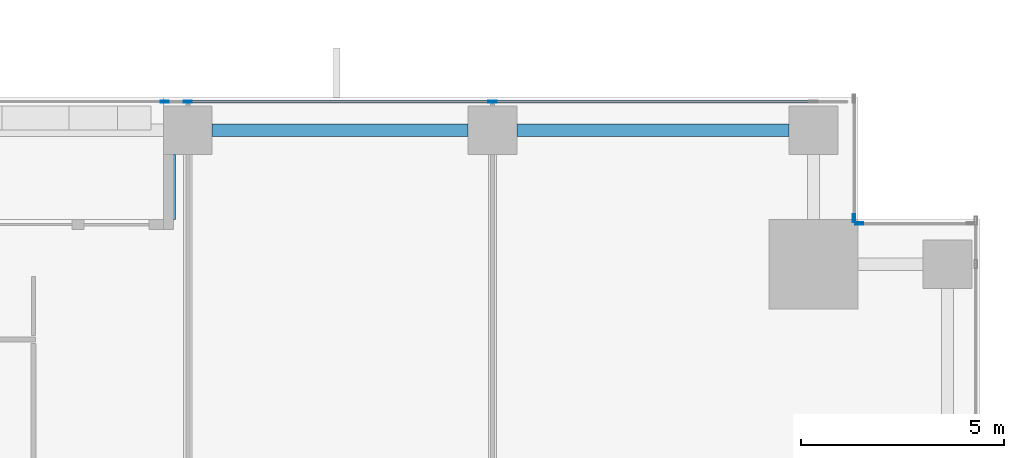
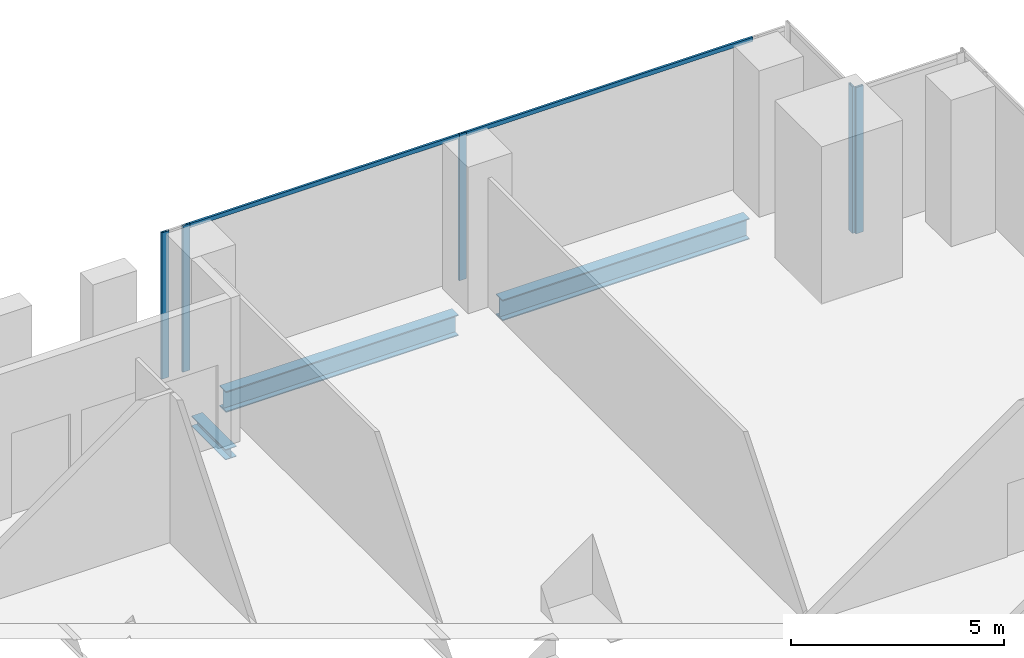
# One storey, part 19 of 33: 7 members, 3 beams, 3 elements without a shape of their own.
"""IFC4 building model written with IfcOpenShell, lengths in metres."""

import ifcopenshell
import ifcopenshell.guid

model = None  # the IFC model being written
_history = None  # IfcOwnerHistory: only IFC2X3 demands one
_inside = {}  # id of a spatial element -> (the spatial element, [elements in it])
_under = {}  # id of a project, library or spatial element -> (it, [spatial elements below it])
_declared = {}  # id of a project -> (the project, [libraries it declares])
_typed = {}  # id of a type object -> (the type object, [elements of that type])
_made_of = {}  # id of a material, layer set ... -> (it, [elements and type objects made of it])


def new_model(schema):
    """Start an empty IFC model of exactly this schema.

    Asked for "IFC4X3", IfcOpenShell would pick the latest addendum, in which some entities
    have other attributes; the version numbers below select the first issue.
    IFC2X3 requires an IfcOwnerHistory on every rooted entity: one is made here for all.
    """
    global model, _history
    if schema == "IFC4X3":
        model = ifcopenshell.file(schema_version=(4, 3, 0, 0))
    else:
        model = ifcopenshell.file(schema=schema)
    _inside.clear()
    _under.clear()
    _declared.clear()
    _typed.clear()
    _made_of.clear()
    _history = None
    if model.schema == "IFC2X3":
        org = make("IfcOrganization", Name="unknown")
        user = make(
            "IfcPersonAndOrganization",
            ThePerson=make("IfcPerson", FamilyName="unknown"),
            TheOrganization=org,
        )
        app = make(
            "IfcApplication",
            ApplicationDeveloper=org,
            Version="unknown",
            ApplicationFullName="unknown",
            ApplicationIdentifier="unknown",
        )
        _history = make(
            "IfcOwnerHistory",
            OwningUser=user,
            OwningApplication=app,
            ChangeAction="ADDED",
            CreationDate=0,
        )
    return model


def make(cls, **values):
    """One entity of the class cls with the attributes given. An attribute that is None is left unset."""
    return model.create_entity(
        cls, **{name: value for name, value in values.items() if value is not None}
    )


def rooted(cls, **values):
    """An entity with a GlobalId (a new one), such as an element, a storey or a relation."""
    return make(cls, GlobalId=ifcopenshell.guid.new(), OwnerHistory=_history, **values)


def si_unit(unit_type, name, prefix=None):
    """IfcSIUnit, for example si_unit("LENGTHUNIT", "METRE", prefix="MILLI")."""
    return make("IfcSIUnit", UnitType=unit_type, Prefix=prefix, Name=name)


def assignment(units):
    """IfcUnitAssignment: the units of a project."""
    return None if units is None else make("IfcUnitAssignment", Units=units)


def point(xyz):
    """IfcCartesianPoint."""
    return None if xyz is None else make("IfcCartesianPoint", Coordinates=xyz)


def direction(xyz):
    """IfcDirection."""
    return None if xyz is None else make("IfcDirection", DirectionRatios=xyz)


def frame(location, z_axis=None, x_axis=None):
    """IfcAxis2Placement3D, a coordinate frame: its origin and axes. An axis left out is left unset."""
    return make(
        "IfcAxis2Placement3D",
        Location=point(location),
        Axis=direction(z_axis),
        RefDirection=direction(x_axis),
    )


def frame_2d(location, x_axis=None):
    """IfcAxis2Placement2D, a coordinate frame in the plane: its origin and x axis."""
    return make(
        "IfcAxis2Placement2D", Location=point(location), RefDirection=direction(x_axis)
    )


def origin():
    """The frame at (0, 0, 0) with its axes left unset."""
    return frame((0.0, 0.0, 0.0))


def origin_2d():
    """The frame at (0, 0) in the plane with its x axis left unset."""
    return frame_2d((0.0, 0.0))


def place(relative_to, where):
    """IfcLocalPlacement: puts the frame where relative to a parent placement (None: the world)."""
    return make(
        "IfcLocalPlacement", PlacementRelTo=relative_to, RelativePlacement=where
    )


def context(
    kind, dimensions, precision=None, world=None, true_north=None, identifier=None
):
    """IfcGeometricRepresentationContext, for example the 3D "Model" context."""
    return make(
        "IfcGeometricRepresentationContext",
        ContextIdentifier=identifier,
        ContextType=kind,
        CoordinateSpaceDimension=dimensions,
        Precision=precision,
        WorldCoordinateSystem=world,
        TrueNorth=true_north,
    )


def subcontext(parent, identifier, kind, view, scale=None):
    """IfcGeometricRepresentationSubContext, for example "Body" below "Model"."""
    return make(
        "IfcGeometricRepresentationSubContext",
        ContextIdentifier=identifier,
        ContextType=kind,
        ParentContext=parent,
        TargetScale=scale,
        TargetView=view,
    )


def project(units=None, contexts=None):
    """IfcProject with its units and contexts."""
    return rooted(
        "IfcProject",
        Name="project",
        RepresentationContexts=contexts,
        UnitsInContext=assignment(units),
    )


def spatial(cls, under=None, at=None, **own):
    """A site, building, storey or space (cls), placed at a placement, below another one or the project."""
    s = rooted(cls, ObjectPlacement=at, **own)
    if under is not None:
        _under.setdefault(under.id(), (under, []))[1].append(s)
    return s


def profile(cls, at=None, kind="AREA", **sizes):
    """A parametric profile (cls). Its sizes go by their IFC names, for example OverallWidth=200.0."""
    return make(cls, ProfileType=kind, Position=at, **sizes)


def hollow_rectangle(**sizes):
    """IfcRectangleHollowProfileDef."""
    return profile("IfcRectangleHollowProfileDef", **sizes)


def i_section(**sizes):
    """IfcIShapeProfileDef."""
    return profile("IfcIShapeProfileDef", **sizes)


def extrude(swept, where, along, depth):
    """IfcExtrudedAreaSolid: the profile swept, set in the frame where, extruded along a direction by depth."""
    return make(
        "IfcExtrudedAreaSolid",
        SweptArea=swept,
        Position=where,
        ExtrudedDirection=direction(along),
        Depth=depth,
    )


def shape(context_of_items, identifier, shape_type, items):
    """IfcShapeRepresentation: the items that make up one representation, for example the "Body"."""
    return make(
        "IfcShapeRepresentation",
        ContextOfItems=context_of_items,
        RepresentationIdentifier=identifier,
        RepresentationType=shape_type,
        Items=items,
    )


def source(mapping_origin, context_of_items, identifier, shape_type, items):
    """IfcRepresentationMap: a shape defined once, which mapped items show again and again."""
    return make(
        "IfcRepresentationMap",
        MappingOrigin=mapping_origin,
        MappedRepresentation=shape(context_of_items, identifier, shape_type, items),
    )


def transform(
    local_origin,
    x_axis=None,
    y_axis=None,
    z_axis=None,
    scale=None,
    scale2=None,
    scale3=None,
    uniform=True,
):
    """IfcCartesianTransformationOperator3D, or its non-uniform kind. x_axis, y_axis, z_axis: its Axis1, 2, 3."""
    if uniform:
        return make(
            "IfcCartesianTransformationOperator3D",
            Axis1=direction(x_axis),
            Axis2=direction(y_axis),
            LocalOrigin=point(local_origin),
            Scale=scale,
            Axis3=direction(z_axis),
        )
    return make(
        "IfcCartesianTransformationOperator3DnonUniform",
        Axis1=direction(x_axis),
        Axis2=direction(y_axis),
        LocalOrigin=point(local_origin),
        Scale=scale,
        Axis3=direction(z_axis),
        Scale2=scale2,
        Scale3=scale3,
    )


def mapped(mapping_source, mapping_target):
    """IfcMappedItem: shows the shape of a source again, moved by a transform."""
    return make(
        "IfcMappedItem", MappingSource=mapping_source, MappingTarget=mapping_target
    )


def material(Name=None, Category=None):
    """IfcMaterial."""
    return make("IfcMaterial", Name=Name, Category=Category)


def material_profile(
    of_material, cross_section, Name=None, Category=None, Priority=None
):
    """IfcMaterialProfile: a cross section and its material."""
    return make(
        "IfcMaterialProfile",
        Name=Name,
        Material=of_material,
        Profile=cross_section,
        Priority=Priority,
        Category=Category,
    )


def profile_set(profiles, Name=None, composite=None):
    """IfcMaterialProfileSet."""
    return make(
        "IfcMaterialProfileSet",
        Name=Name,
        MaterialProfiles=profiles,
        CompositeProfile=composite,
    )


def made_of(thing, what):
    """Note that an element or type object is made of a material, layer set ...; save() writes the relation."""
    if what is not None:
        _made_of.setdefault(what.id(), (what, []))[1].append(thing)
    return thing


def type_object(cls, material=None, **own):
    """A type object (cls), such as IfcWallType, which elements share."""
    return made_of(rooted(cls, **own), material)


def element(
    cls,
    number,
    at=None,
    inside=None,
    cuts=None,
    type_object=None,
    material=None,
    context=None,
    identifier="Body",
    shape_type=None,
    held_by="IfcProductDefinitionShape",
    body=None,
    shapes=None,
    **own,
):
    """One element of the class cls, such as IfcWall. Its Tag is "e" and its number.

    at: its placement. inside: the storey or other place that contains it. cuts: it is an
    opening in that element (IfcRelVoidsElement). A single representation is given by context,
    identifier, shape_type and body (its items); several are given by shapes. held_by: the class
    of the entity that holds the representations. save() writes the other relations.
    """
    e = rooted(cls, Tag="e%d" % number, ObjectPlacement=at, **own)
    if body is not None:
        shapes = [shape(context, identifier, shape_type, body)]
    if shapes is not None:
        e.Representation = make(held_by, Representations=shapes)
    if inside is not None:
        _inside.setdefault(inside.id(), (inside, []))[1].append(e)
    if cuts is not None:
        rooted(
            "IfcRelVoidsElement", RelatingBuildingElement=cuts, RelatedOpeningElement=e
        )
    if type_object is not None:
        _typed.setdefault(type_object.id(), (type_object, []))[1].append(e)
    return made_of(e, material)


def aggregate(whole, parts):
    """IfcRelAggregates: a whole, such as a stair, and the parts it consists of."""
    return rooted("IfcRelAggregates", RelatingObject=whole, RelatedObjects=parts)


def save(model, path):
    """Write the relations noted so far, then the file.

    IfcRelAggregates (storeys below a building ...), IfcRelContainedInSpatialStructure (elements
    in a storey), IfcRelDefinesByType, IfcRelAssociatesMaterial and IfcRelDeclares: one each for
    every whole, place, type object, material and project.
    """
    for whole, parts in _under.values():
        aggregate(whole, parts)
    for where, things in _inside.values():
        rooted(
            "IfcRelContainedInSpatialStructure",
            RelatedElements=things,
            RelatingStructure=where,
        )
    for kind, things in _typed.values():
        rooted("IfcRelDefinesByType", RelatedObjects=things, RelatingType=kind)
    for what, things in _made_of.values():
        rooted("IfcRelAssociatesMaterial", RelatedObjects=things, RelatingMaterial=what)
    for by, libraries in _declared.values():
        rooted("IfcRelDeclares", RelatingContext=by, RelatedDefinitions=libraries)
    model.write(path)


model = new_model("IFC4")

# Units and contexts
model_context = context("Model", 3, precision=1e-05, world=origin(), true_north=direction((0.0, 1.0)))
body_context = subcontext(model_context, "Body", "Model", "MODEL_VIEW")
ifc_project = project(units=[si_unit("LENGTHUNIT", "METRE"), si_unit("AREAUNIT", "SQUARE_METRE"), si_unit("VOLUMEUNIT", "CUBIC_METRE"), si_unit("PLANEANGLEUNIT", "RADIAN"), si_unit("MASSUNIT", "GRAM", prefix="KILO")], contexts=[model_context])

# Site, building, storey
site_placement = place(None, origin())
site = spatial("IfcSite", under=ifc_project, at=site_placement, CompositionType="ELEMENT")
building_placement = place(site_placement, origin())
building = spatial("IfcBuilding", under=site, at=building_placement, Name="Khomas Fold Tower", CompositionType="ELEMENT")
storey_placement = place(building_placement, frame((0.0, 0.0, 55.5)))
storey = spatial("IfcBuildingStorey", under=building, at=storey_placement, Name="L11", CompositionType="ELEMENT", Elevation=55.5)

# Beams
ifc_material_1 = material(Name="Steel S355", Category="steel")
ifc_material_profile_1 = material_profile(ifc_material_1, i_section(OverallWidth=0.300048828125, OverallDepth=0.60009765625, WebThickness=0.015380859375, FlangeThickness=0.030029296875, at=origin_2d()), Name="HE 600 B")
ifc_profile_set_1 = profile_set([ifc_material_profile_1], Name="Steel S355")
beam_type_1 = type_object("IfcBeamType", Name="HE 600 B spandrel SB1", PredefinedType="SPANDREL", material=ifc_profile_set_1)
shared_shape_1 = source(origin(), body_context, "Body", "SweptSolid", [
    extrude(i_section(OverallWidth=0.300048828125, OverallDepth=0.60009765625, WebThickness=0.015380859375, FlangeThickness=0.030029296875, at=origin_2d()), origin(), (0.0, 0.0, 1.0), 6.699951171875),
])
beam_1_placement = place(storey_placement, frame((42.60009765625, 53.199951171875, -0.60009765625), z_axis=(1.0, 0.0, 0.0), x_axis=(0.0, 1.0, 0.0)))
element("IfcBeam", 1, at=beam_1_placement, inside=storey, type_object=beam_type_1, Name="SB1", PredefinedType="SPANDREL", context=body_context, shape_type="MappedRepresentation", body=[
    mapped(shared_shape_1, transform((0.0, 0.0, 0.0))),
])
shared_shape_2 = source(origin(), body_context, "Body", "SweptSolid", [
    extrude(i_section(OverallWidth=0.300048828125, OverallDepth=0.60009765625, WebThickness=0.015380859375, FlangeThickness=0.030029296875, at=origin_2d()), origin(), (0.0, 0.0, 1.0), 6.2998046875),
])
beam_2_placement = place(storey_placement, frame((35.10009765625, 53.199951171875, -0.60009765625), z_axis=(1.0, 0.0, 0.0), x_axis=(0.0, 1.0, 0.0)))
element("IfcBeam", 2, at=beam_2_placement, inside=storey, type_object=beam_type_1, Name="SB1", PredefinedType="SPANDREL", context=body_context, shape_type="MappedRepresentation", body=[
    mapped(shared_shape_2, transform((0.0, 0.0, 0.0))),
])
ifc_material_2 = material(Name="Steel S355", Category="steel")
ifc_material_profile_2 = material_profile(ifc_material_2, i_section(OverallWidth=0.300048828125, OverallDepth=0.300048828125, WebThickness=0.010986328125, FlangeThickness=0.01904296875, at=origin_2d()), Name="HE 300 B")
ifc_profile_set_2 = profile_set([ifc_material_profile_2], Name="Steel S355")
beam_type_2 = type_object("IfcBeamType", Name="HE 300 B beam BB1", PredefinedType="BEAM", material=ifc_profile_set_2)
shared_shape_3 = source(origin(), body_context, "Body", "SweptSolid", [
    extrude(i_section(OverallWidth=0.300048828125, OverallDepth=0.300048828125, WebThickness=0.010986328125, FlangeThickness=0.01904296875, at=origin_2d()), origin(), (0.0, 0.0, 1.0), 1.60009765625),
])
beam_3_placement = place(storey_placement, frame((34.050048828125, 51.0, -0.449951171875), z_axis=(0.0, 1.0, 0.0), x_axis=(-1.0, 0.0, 0.0)))
element("IfcBeam", 3, at=beam_3_placement, inside=storey, type_object=beam_type_2, Name="BB1", PredefinedType="BEAM", context=body_context, shape_type="MappedRepresentation", body=[
    mapped(shared_shape_3, transform((0.0, 0.0, 0.0))),
])

# Curtain wall, members
ifc_material_3 = material(Name="Aluminium framed double glazing", Category="aluminium")
curtain_wall_type = type_object("IfcCurtainWallType", Name="SK-Unitised clear-glass wall, growing floors CW1", PredefinedType="NOTDEFINED", material=ifc_material_3)
curtain_wall_1_placement = place(storey_placement, origin())
curtain_wall_1 = element("IfcCurtainWall", 4, at=curtain_wall_1_placement, inside=storey, type_object=curtain_wall_type, Name="CW1 run L11 06-0", PredefinedType="NOTDEFINED")
ifc_material_4 = material(Name="Aluminium", Category="aluminium")
ifc_material_profile_3 = material_profile(ifc_material_4, hollow_rectangle(XDim=0.06005859375, YDim=0.1201171875, WallThickness=0.00390625, at=origin_2d()), Name="SK-Unitised clear-glass wall, growing floors transom CW1-T")
ifc_profile_set_3 = profile_set([ifc_material_profile_3], Name="Aluminium")
member_type_1 = type_object("IfcMemberType", Name="SK-Unitised clear-glass wall, growing floors transom CW1-T", PredefinedType="USERDEFINED", material=ifc_profile_set_3)
shared_shape_4 = source(origin(), body_context, "Body", "SweptSolid", [
    extrude(hollow_rectangle(XDim=0.06005859375, YDim=0.1201171875, WallThickness=0.00390625, at=origin_2d()), origin(), (0.0, 0.0, 1.0), 7.840087890625),
])
member_1_placement = place(storey_placement, frame((49.8701171875, 53.89990234375, 4.139892578125), z_axis=(-1.0, 0.0, 0.0), x_axis=(0.0, -1.0, 0.0)))
member_1 = element("IfcMember", 5, at=member_1_placement, type_object=member_type_1, Name="CW1 transom 2", ObjectType="TRANSOM", PredefinedType="USERDEFINED", context=body_context, shape_type="MappedRepresentation", body=[
    mapped(shared_shape_4, transform((0.0, 0.0, 0.0))),
])
shared_shape_5 = source(origin(), body_context, "Body", "SweptSolid", [
    extrude(hollow_rectangle(XDim=0.06005859375, YDim=0.1201171875, WallThickness=0.00390625, at=origin_2d()), origin(), (0.0, 0.0, 1.0), 7.43994140625),
])
member_2_placement = place(storey_placement, frame((41.969970703125, 53.89990234375, 4.139892578125), z_axis=(-1.0, 0.0, 0.0), x_axis=(0.0, -1.0, 0.0)))
member_2 = element("IfcMember", 6, at=member_2_placement, type_object=member_type_1, Name="CW1 transom 3", ObjectType="TRANSOM", PredefinedType="USERDEFINED", context=body_context, shape_type="MappedRepresentation", body=[
    mapped(shared_shape_5, transform((0.0, 0.0, 0.0))),
])

# Curtain wall, member
curtain_wall_2_placement = place(storey_placement, origin())
curtain_wall_2 = element("IfcCurtainWall", 7, at=curtain_wall_2_placement, inside=storey, type_object=curtain_wall_type, Name="CW1 corner return L11 04", PredefinedType="NOTDEFINED")
ifc_material_5 = material(Name="Aluminium", Category="aluminium")
ifc_material_profile_4 = material_profile(ifc_material_5, hollow_rectangle(XDim=0.06005859375, YDim=0.199951171875, WallThickness=0.00390625, at=origin_2d()), Name="SK-Unitised clear-glass wall, growing floors mullion CW1-M")
ifc_profile_set_4 = profile_set([ifc_material_profile_4], Name="Aluminium")
member_type_2 = type_object("IfcMemberType", Name="SK-Unitised clear-glass wall, growing floors mullion CW1-M", PredefinedType="MULLION", material=ifc_profile_set_4)
shared_shape_6 = source(origin(), body_context, "Body", "SweptSolid", [
    extrude(hollow_rectangle(XDim=0.06005859375, YDim=0.199951171875, WallThickness=0.00390625, at=origin_2d()), origin(), (0.0, 0.0, 1.0), 4.199951171875),
])
member_3_placement = place(storey_placement, frame((51.030029296875, 50.89990234375, 0.0), z_axis=(0.0, 0.0, 1.0), x_axis=(0.0, -1.0, 0.0)))
member_3 = element("IfcMember", 8, at=member_3_placement, type_object=member_type_2, Name="CW1 mullion 2", PredefinedType="MULLION", context=body_context, shape_type="MappedRepresentation", body=[
    mapped(shared_shape_6, transform((0.0, 0.0, 0.0))),
])
aggregate(curtain_wall_2, [member_3])

curtain_wall_3_placement = place(storey_placement, origin())
curtain_wall_3 = element("IfcCurtainWall", 9, at=curtain_wall_3_placement, inside=storey, type_object=curtain_wall_type, Name="CW1 corner return L11 05", PredefinedType="NOTDEFINED")
member_4_placement = place(storey_placement, frame((50.89990234375, 51.030029296875, 0.0), z_axis=(0.0, 0.0, 1.0), x_axis=(-1.0, 0.0, 0.0)))
member_4 = element("IfcMember", 10, at=member_4_placement, type_object=member_type_2, Name="CW1 mullion 1", PredefinedType="MULLION", context=body_context, shape_type="MappedRepresentation", body=[
    mapped(shared_shape_6, transform((0.0, 0.0, 0.0))),
])
aggregate(curtain_wall_3, [member_4])

# Member
member_5_placement = place(storey_placement, frame((42.0, 53.89990234375, 0.0), z_axis=(0.0, 0.0, 1.0), x_axis=(0.0, -1.0, 0.0)))
member_5 = element("IfcMember", 11, at=member_5_placement, type_object=member_type_2, Name="CW1 mullion 3", PredefinedType="MULLION", context=body_context, shape_type="MappedRepresentation", body=[
    mapped(shared_shape_6, transform((0.0, 0.0, 0.0))),
])

member_6_placement = place(storey_placement, frame((34.5, 53.89990234375, 0.0), z_axis=(0.0, 0.0, 1.0), x_axis=(0.0, -1.0, 0.0)))
member_6 = element("IfcMember", 12, at=member_6_placement, type_object=member_type_2, Name="CW1 mullion 4", PredefinedType="MULLION", context=body_context, shape_type="MappedRepresentation", body=[
    mapped(shared_shape_6, transform((0.0, 0.0, 0.0))),
])

member_7_placement = place(storey_placement, frame((33.929931640625, 53.89990234375, 0.0), z_axis=(0.0, 0.0, 1.0), x_axis=(0.0, -1.0, 0.0)))
member_7 = element("IfcMember", 13, at=member_7_placement, type_object=member_type_2, Name="CW1 mullion 5", PredefinedType="MULLION", context=body_context, shape_type="MappedRepresentation", body=[
    mapped(shared_shape_6, transform((0.0, 0.0, 0.0))),
])

aggregate(curtain_wall_1, [member_5, member_6, member_7, member_1, member_2])

save(model, "model.ifc")
